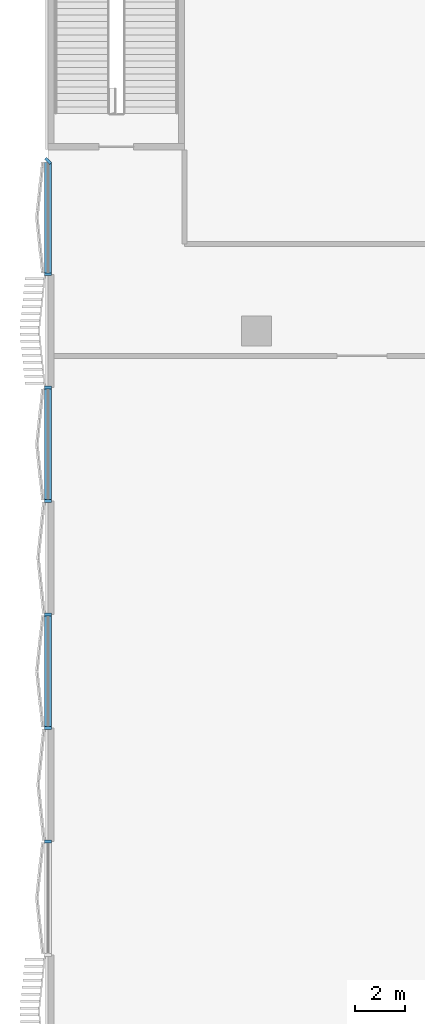
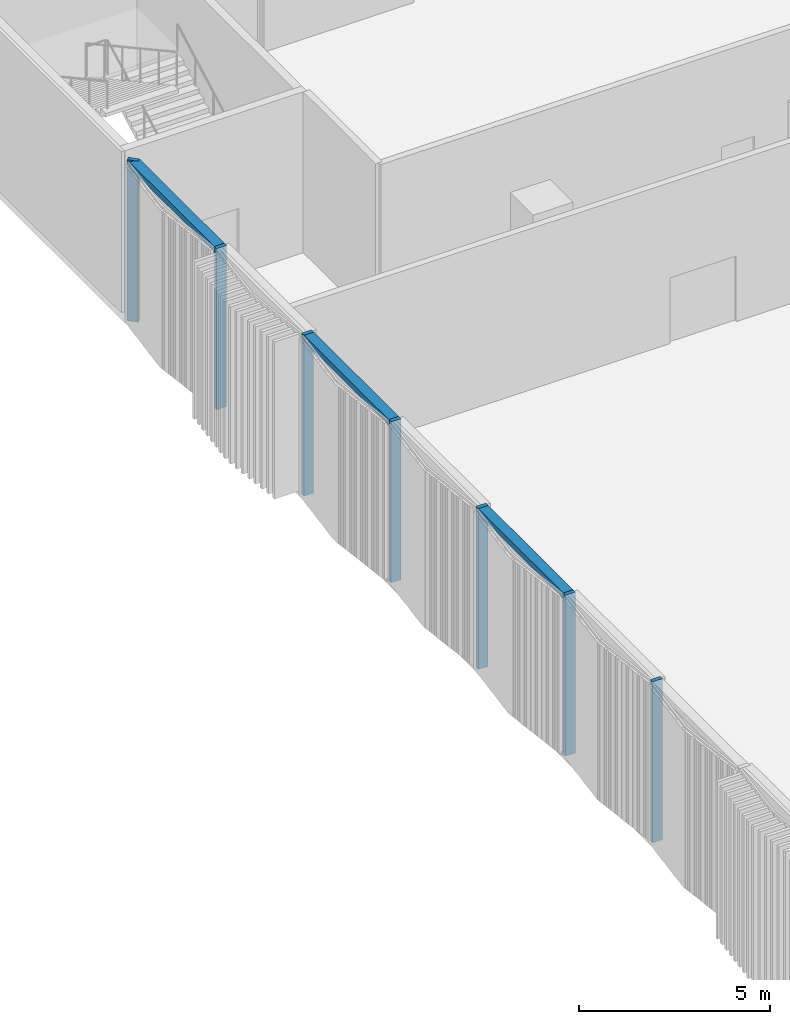
# One storey, part 4 of 31: 10 members, 1 element without a shape of its own.
"""IFC4 building model written with IfcOpenShell, lengths in metres."""

from ifc_helpers import new_model, si_unit, direction, frame, origin, origin_2d, place, context, subcontext, project, spatial, rectangle, extrude, material, material_profile, profile_set, type_object, element, aggregate, save


model = new_model("IFC4")

# Units and contexts
model_context = context("Model", 3, precision=1e-05, world=origin(), true_north=direction((0.0, 1.0)))
body_context = subcontext(model_context, "Body", "Model", "MODEL_VIEW")
ifc_project = project(units=[si_unit("LENGTHUNIT", "METRE"), si_unit("AREAUNIT", "SQUARE_METRE"), si_unit("VOLUMEUNIT", "CUBIC_METRE"), si_unit("PLANEANGLEUNIT", "RADIAN"), si_unit("MASSUNIT", "GRAM", prefix="KILO")], contexts=[model_context])

# Site, building, storey
site_placement = place(None, origin())
site = spatial("IfcSite", under=ifc_project, at=site_placement, CompositionType="ELEMENT")
building_placement = place(site_placement, origin())
building = spatial("IfcBuilding", under=site, at=building_placement, Name="Tamra Quay Hotel Tower", CompositionType="ELEMENT")
storey_placement = place(building_placement, frame((0.0, 0.0, 14.0)))
storey = spatial("IfcBuildingStorey", under=building, at=storey_placement, Name="L02", CompositionType="ELEMENT", Elevation=14.0)

# Curtain wall, members
ifc_material = material(Name="Aluminium 6063 anodised dark grey", Category="aluminium")
curtain_wall_type = type_object("IfcCurtainWallType", Name="CW4 CURTAIN WALL", PredefinedType="NOTDEFINED", material=ifc_material)
curtain_wall_placement = place(storey_placement, origin())
curtain_wall = element("IfcCurtainWall", 1, at=curtain_wall_placement, inside=storey, type_object=curtain_wall_type, Name="CW4 west face L02", PredefinedType="NOTDEFINED")
ifc_material_profile_1 = material_profile(ifc_material, rectangle(XDim=0.300048828125, YDim=0.1201171875, at=origin_2d()), Name="MULLION 120X300")
ifc_profile_set_1 = profile_set([ifc_material_profile_1], Name="Aluminium 6063 anodised dark grey")
member_type_1 = type_object("IfcMemberType", Name="MULLION CW4", PredefinedType="MULLION", material=ifc_profile_set_1)
member_1_placement = place(storey_placement, frame((-89.10009765625, 22.857177734375, 0.0), z_axis=(0.0, 0.0, 1.0), x_axis=(-0.707106781187, 0.707106781187, 0.0)))
member_1 = element("IfcMember", 2, at=member_1_placement, type_object=member_type_1, Name="CW4 mullion L02.W.1", PredefinedType="MULLION", context=body_context, shape_type="SweptSolid", body=[
    extrude(rectangle(XDim=0.300048828125, YDim=0.1201171875, at=origin_2d()), origin(), (0.0, 0.0, 1.0), 5.14990234375),
])
member_2_placement = place(storey_placement, frame((-89.10009765625, 18.28564453125, 0.0), z_axis=(0.0, 0.0, 1.0), x_axis=(-1.0, 0.0, 0.0)))
member_2 = element("IfcMember", 3, at=member_2_placement, type_object=member_type_1, Name="CW4 mullion L02.W.2", PredefinedType="MULLION", context=body_context, shape_type="SweptSolid", body=[
    extrude(rectangle(XDim=0.300048828125, YDim=0.1201171875, at=origin_2d()), origin(), (0.0, 0.0, 1.0), 5.14990234375),
])
member_3_placement = place(storey_placement, frame((-89.10009765625, 13.71435546875, 0.0), z_axis=(0.0, 0.0, 1.0), x_axis=(-1.0, 0.0, 0.0)))
member_3 = element("IfcMember", 4, at=member_3_placement, type_object=member_type_1, Name="CW4 mullion L02.W.2", PredefinedType="MULLION", context=body_context, shape_type="SweptSolid", body=[
    extrude(rectangle(XDim=0.300048828125, YDim=0.1201171875, at=origin_2d()), origin(), (0.0, 0.0, 1.0), 5.14990234375),
])
member_4_placement = place(storey_placement, frame((-89.10009765625, 9.142822265625, 0.0), z_axis=(0.0, 0.0, 1.0), x_axis=(-1.0, 0.0, 0.0)))
member_4 = element("IfcMember", 5, at=member_4_placement, type_object=member_type_1, Name="CW4 mullion L02.W.3", PredefinedType="MULLION", context=body_context, shape_type="SweptSolid", body=[
    extrude(rectangle(XDim=0.300048828125, YDim=0.1201171875, at=origin_2d()), origin(), (0.0, 0.0, 1.0), 5.14990234375),
])
member_5_placement = place(storey_placement, frame((-89.10009765625, 4.571533203125, 0.0), z_axis=(0.0, 0.0, 1.0), x_axis=(-1.0, 0.0, 0.0)))
member_5 = element("IfcMember", 6, at=member_5_placement, type_object=member_type_1, Name="CW4 mullion L02.W.3", PredefinedType="MULLION", context=body_context, shape_type="SweptSolid", body=[
    extrude(rectangle(XDim=0.300048828125, YDim=0.1201171875, at=origin_2d()), origin(), (0.0, 0.0, 1.0), 5.14990234375),
])
member_6_placement = place(storey_placement, frame((-89.10009765625, 0.0, 0.0), z_axis=(0.0, 0.0, 1.0), x_axis=(-1.0, 0.0, 0.0)))
member_6 = element("IfcMember", 7, at=member_6_placement, type_object=member_type_1, Name="CW4 mullion L02.W.4", PredefinedType="MULLION", context=body_context, shape_type="SweptSolid", body=[
    extrude(rectangle(XDim=0.300048828125, YDim=0.1201171875, at=origin_2d()), origin(), (0.0, 0.0, 1.0), 5.14990234375),
])
member_7_placement = place(storey_placement, frame((-89.10009765625, -4.571533203125, 0.0), z_axis=(0.0, 0.0, 1.0), x_axis=(-1.0, 0.0, 0.0)))
member_7 = element("IfcMember", 8, at=member_7_placement, type_object=member_type_1, Name="CW4 mullion L02.W.4", PredefinedType="MULLION", context=body_context, shape_type="SweptSolid", body=[
    extrude(rectangle(XDim=0.300048828125, YDim=0.1201171875, at=origin_2d()), origin(), (0.0, 0.0, 1.0), 5.14990234375),
])
ifc_material_profile_2 = material_profile(ifc_material, rectangle(XDim=0.300048828125, YDim=0.179931640625, at=origin_2d()), Name="TRANSOM 300X180")
ifc_profile_set_2 = profile_set([ifc_material_profile_2], Name="Aluminium 6063 anodised dark grey")
member_type_2 = type_object("IfcMemberType", Name="TRANSOM CW4", PredefinedType="USERDEFINED", material=ifc_profile_set_2)
member_8_placement = place(storey_placement, frame((-89.10009765625, 22.797119140625, 5.06005859375), z_axis=(0.0, -1.0, 0.0), x_axis=(1.0, 0.0, 0.0)))
member_8 = element("IfcMember", 9, at=member_8_placement, type_object=member_type_2, Name="CW4 transom L02.W.1", ObjectType="TRANSOM", PredefinedType="USERDEFINED", context=body_context, shape_type="SweptSolid", body=[
    extrude(rectangle(XDim=0.300048828125, YDim=0.179931640625, at=origin_2d()), origin(), (0.0, 0.0, 1.0), 4.451416015625),
])
member_9_placement = place(storey_placement, frame((-89.10009765625, 13.654296875, 5.06005859375), z_axis=(0.0, -1.0, 0.0), x_axis=(1.0, 0.0, 0.0)))
member_9 = element("IfcMember", 10, at=member_9_placement, type_object=member_type_2, Name="CW4 transom L02.W.2", ObjectType="TRANSOM", PredefinedType="USERDEFINED", context=body_context, shape_type="SweptSolid", body=[
    extrude(rectangle(XDim=0.300048828125, YDim=0.179931640625, at=origin_2d()), origin(), (0.0, 0.0, 1.0), 4.451416015625),
])
member_10_placement = place(storey_placement, frame((-89.10009765625, 4.511474609375, 5.06005859375), z_axis=(0.0, -1.0, 0.0), x_axis=(1.0, 0.0, 0.0)))
member_10 = element("IfcMember", 11, at=member_10_placement, type_object=member_type_2, Name="CW4 transom L02.W.3", ObjectType="TRANSOM", PredefinedType="USERDEFINED", context=body_context, shape_type="SweptSolid", body=[
    extrude(rectangle(XDim=0.300048828125, YDim=0.179931640625, at=origin_2d()), origin(), (0.0, 0.0, 1.0), 4.451416015625),
])
aggregate(curtain_wall, [member_1, member_8, member_2, member_3, member_9, member_4, member_5, member_10, member_6, member_7])

save(model, "model.ifc")
